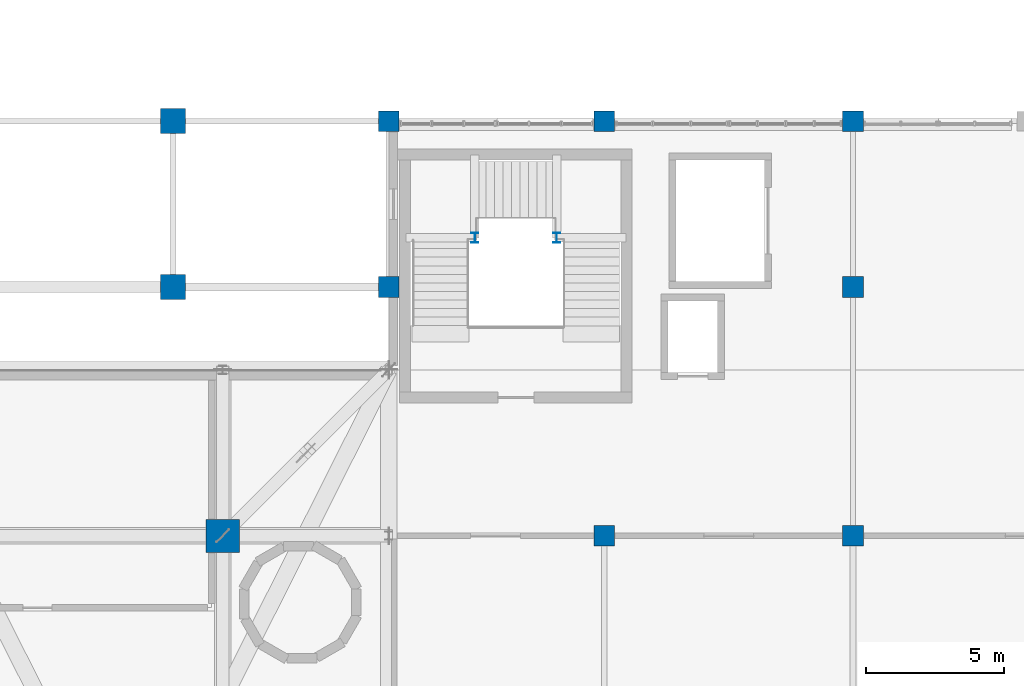
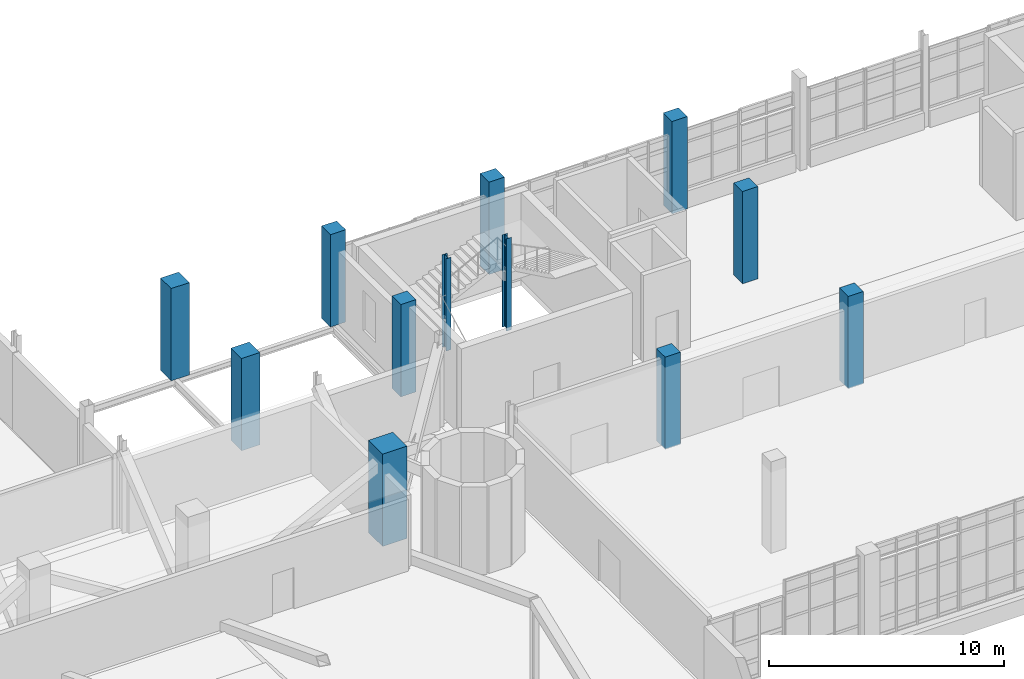
# One storey, part 8 of 127: 12 columns.
"""IFC4 building model written with IfcOpenShell, lengths in metres."""

from ifc_helpers import new_model, si_unit, derived_unit, direction, frame, origin, origin_2d, place, context, subcontext, project, spatial, rectangle, i_section, extrude, material, material_profile, profile_set, type_object, element, save


model = new_model("IFC4")

# Units and contexts
model_context = context("Model", 3, precision=1e-05, world=origin(), true_north=direction((0.0, 1.0)))
body_context = subcontext(model_context, "Body", "Model", "MODEL_VIEW")
ifc_project = project(units=[si_unit("LENGTHUNIT", "METRE"), si_unit("AREAUNIT", "SQUARE_METRE"), si_unit("VOLUMEUNIT", "CUBIC_METRE"), si_unit("PLANEANGLEUNIT", "RADIAN"), si_unit("MASSUNIT", "GRAM", prefix="KILO"), derived_unit("THERMALTRANSMITTANCEUNIT", [(si_unit("POWERUNIT", "WATT"), 1), (si_unit("LENGTHUNIT", "METRE"), -2), (si_unit("THERMODYNAMICTEMPERATUREUNIT", "KELVIN"), -1)])], contexts=[model_context])

# Site, building, storey
site_placement = place(None, origin())
site = spatial("IfcSite", under=ifc_project, at=site_placement, CompositionType="ELEMENT")
building_placement = place(site_placement, origin())
building = spatial("IfcBuilding", under=site, at=building_placement, Name="Nallur Shell Playhouse", CompositionType="ELEMENT")
storey_placement = place(building_placement, frame((0.0, 0.0, 5.39990234375)))
storey = spatial("IfcBuildingStorey", under=building, at=storey_placement, Name="L02", CompositionType="ELEMENT", Elevation=5.39990234375)

# Columns
ifc_material_1 = material(Name="Concrete M45", Category="concrete")
ifc_material_profile_1 = material_profile(ifc_material_1, rectangle(XDim=1.199951171875, YDim=1.199951171875, at=origin_2d()), Name="RC 1200x1200")
ifc_profile_set_1 = profile_set([ifc_material_profile_1], Name="Concrete M45")
column_type_1 = type_object("IfcColumnType", Name="CL-RC-1200", PredefinedType="COLUMN", material=ifc_profile_set_1)
column_placement = place(storey_placement, frame((112.60009765625, 41.0, 0.0), z_axis=(0.0, 0.0, 1.0), x_axis=(1.0, 0.0, 0.0)))
element("IfcColumn", 1, at=column_placement, inside=storey, type_object=column_type_1, Name="Column MC6N (L02)", PredefinedType="COLUMN", context=body_context, shape_type="SweptSolid", body=[
    extrude(rectangle(XDim=1.199951171875, YDim=1.199951171875, at=origin_2d()), origin(), (0.0, 0.0, 1.0), 4.800048828125),
])
ifc_material_2 = material(Name="Concrete M40", Category="concrete")
ifc_material_profile_2 = material_profile(ifc_material_2, rectangle(XDim=0.75, YDim=0.75, at=origin_2d()), Name="RC 750x750")
ifc_profile_set_2 = profile_set([ifc_material_profile_2], Name="Concrete M40")
column_type_2 = type_object("IfcColumnType", Name="CL-RC-750", PredefinedType="COLUMN", material=ifc_profile_set_2)
for number, where, z_axis, x_axis, name in (
    (2, (118.60009765625, 50.0, 0.0), (0.0, 0.0, 1.0), (1.0, 0.0, 0.0), "Column 15-F (L02)"),
    (3, (118.60009765625, 56.0, 0.0), (0.0, 0.0, 1.0), (1.0, 0.0, 0.0), "Column 15-G (L02)"),
    (4, (126.39990234375, 41.0, 0.0), (0.0, 0.0, 1.0), (1.0, 0.0, 0.0), "Column 16-E (L02)"),
    (5, (126.39990234375, 56.0, 0.0), (0.0, 0.0, 1.0), (1.0, 0.0, 0.0), "Column 16-G (L02)"),
    (6, (135.39990234375, 41.0, 0.0), (0.0, 0.0, 1.0), (1.0, 0.0, 0.0), "Column 17-E (L02)"),
    (7, (135.39990234375, 50.0, 0.0), (0.0, 0.0, 1.0), (1.0, 0.0, 0.0), "Column 17-F (L02)"),
    (8, (135.39990234375, 56.0, 0.0), (0.0, 0.0, 1.0), (1.0, 0.0, 0.0), "Column 17-G (L02)"),
):
    element("IfcColumn", number, at=place(storey_placement, frame(where, z_axis=z_axis, x_axis=x_axis)), inside=storey, type_object=column_type_2, Name=name, PredefinedType="COLUMN", context=body_context, shape_type="SweptSolid", body=[
        extrude(rectangle(XDim=0.75, YDim=0.75, at=origin_2d()), origin(), (0.0, 0.0, 1.0), 4.800048828125),
    ])
ifc_material_profile_3 = material_profile(ifc_material_2, rectangle(XDim=0.89990234375, YDim=0.89990234375, at=origin_2d()), Name="RC 900x900")
ifc_profile_set_3 = profile_set([ifc_material_profile_3], Name="Concrete M40")
column_type_3 = type_object("IfcColumnType", Name="CL-RC-900", PredefinedType="COLUMN", material=ifc_profile_set_3)
for number, where, z_axis, x_axis, name in (
    (9, (110.800048828125, 50.0, 0.0), (0.0, 0.0, 1.0), (1.0, 0.0, 0.0), "Column 14-F (L02)"),
    (10, (110.800048828125, 56.0, 0.0), (0.0, 0.0, 1.0), (1.0, 0.0, 0.0), "Column 14-G (L02)"),
):
    element("IfcColumn", number, at=place(storey_placement, frame(where, z_axis=z_axis, x_axis=x_axis)), inside=storey, type_object=column_type_3, Name=name, PredefinedType="COLUMN", context=body_context, shape_type="SweptSolid", body=[
        extrude(rectangle(XDim=0.89990234375, YDim=0.89990234375, at=origin_2d()), origin(), (0.0, 0.0, 1.0), 4.800048828125),
    ])
ifc_material_3 = material(Name="Steel E350", Category="steel")
ifc_material_profile_4 = material_profile(ifc_material_3, i_section(OverallWidth=0.25, OverallDepth=0.35009765625, WebThickness=0.010009765625, FlangeThickness=0.01171875, FilletRadius=0.011962890625, at=origin_2d()), Name="ISHB 350")
ifc_profile_set_4 = profile_set([ifc_material_profile_4], Name="Steel E350")
column_type_4 = type_object("IfcColumnType", Name="CL-ST-ISHB350", PredefinedType="COLUMN", material=ifc_profile_set_4)
for number, where, z_axis, x_axis, name in (
    (11, (121.719970703125, 51.780029296875, 0.0), (0.0, 0.0, 1.0), (1.0, 0.0, 0.0), "Column STW-JC-2-W (L02)"),
    (12, (124.679931640625, 51.780029296875, 0.0), (0.0, 0.0, 1.0), (1.0, 0.0, 0.0), "Column STW-JC-2-E (L02)"),
):
    element("IfcColumn", number, at=place(storey_placement, frame(where, z_axis=z_axis, x_axis=x_axis)), inside=storey, type_object=column_type_4, Name=name, PredefinedType="COLUMN", context=body_context, shape_type="SweptSolid", body=[
        extrude(i_section(OverallWidth=0.25, OverallDepth=0.35009765625, WebThickness=0.010009765625, FlangeThickness=0.01171875, FilletRadius=0.011962890625, at=origin_2d()), origin(), (0.0, 0.0, 1.0), 4.800048828125),
    ])

save(model, "model.ifc")
